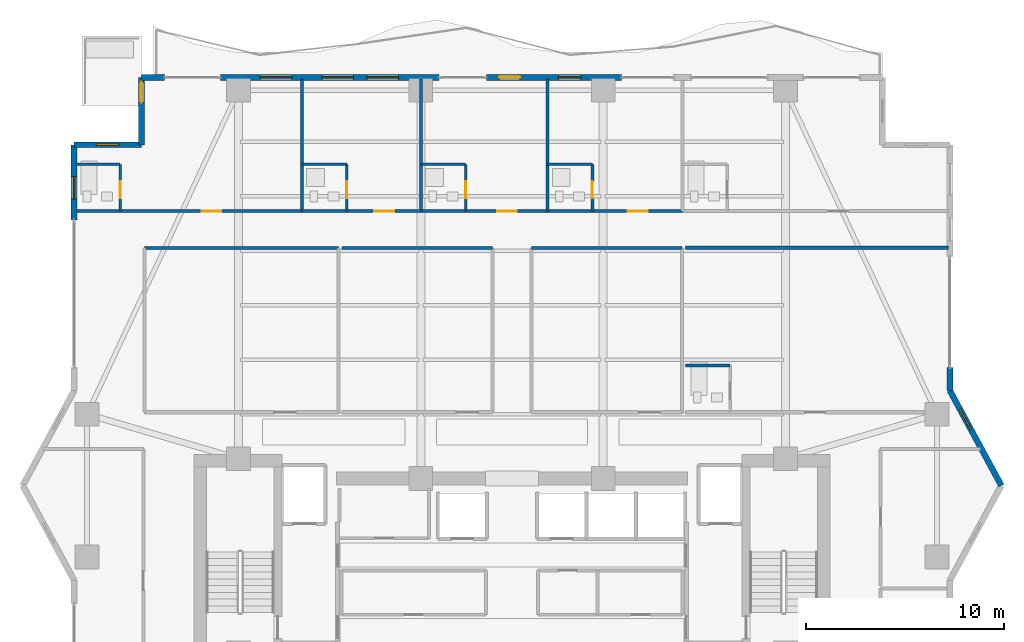
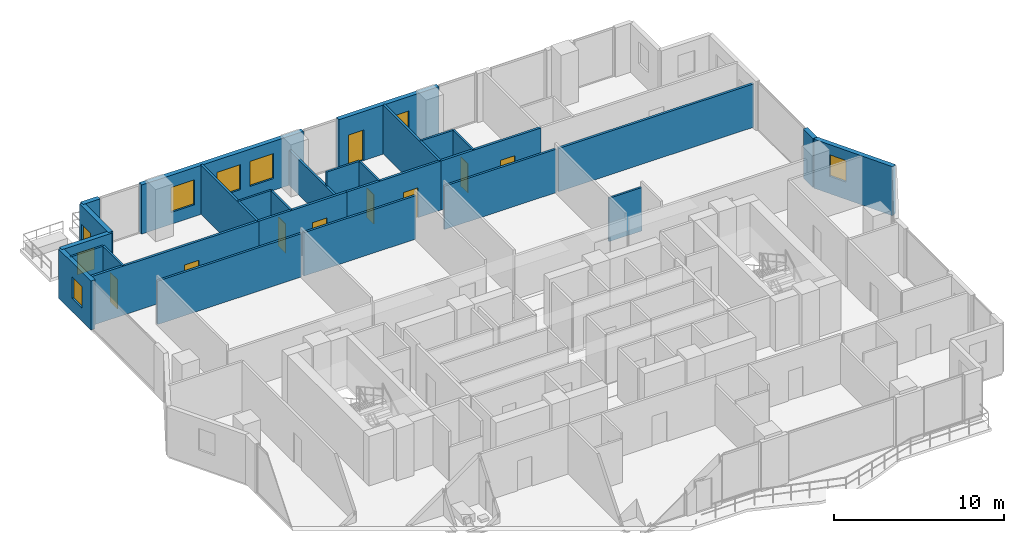
# One storey, part 27 of 32: 28 walls, 10 doors, 7 windows, 17 openings.
"""IFC4 building model written with IfcOpenShell, lengths in metres."""

from ifc_helpers import new_model, si_unit, direction, frame, frame_2d, origin, place, context, subcontext, project, spatial, rectangle, extrude, material, layer, layer_set, type_object, element, fill, save


model = new_model("IFC4")

# Units and contexts
model_context = context("Model", 3, precision=1e-05, world=origin(), true_north=direction((0.0, 1.0)))
body_context = subcontext(model_context, "Body", "Model", "MODEL_VIEW")
ifc_project = project(units=[si_unit("LENGTHUNIT", "METRE"), si_unit("AREAUNIT", "SQUARE_METRE"), si_unit("VOLUMEUNIT", "CUBIC_METRE"), si_unit("PLANEANGLEUNIT", "RADIAN"), si_unit("MASSUNIT", "GRAM", prefix="KILO")], contexts=[model_context])

# Site, building, storey
site_placement = place(None, origin())
site = spatial("IfcSite", under=ifc_project, at=site_placement, CompositionType="ELEMENT")
building_placement = place(site_placement, origin())
building = spatial("IfcBuilding", under=site, at=building_placement, Name="Zuhayl Quay Hotel", CompositionType="ELEMENT")
storey_placement = place(building_placement, frame((0.0, 0.0, 184.89990234375)))
storey = spatial("IfcBuildingStorey", under=building, at=storey_placement, Name="L46", CompositionType="ELEMENT", Elevation=184.89990234375)

# Wall, opening, window
ifc_material_1 = material(Name="Precast concrete C45/55", Category="concrete")
ifc_layer_1 = layer(ifc_material_1, 0.300048828125, Name="Precast concrete C45/55", Category="concrete")
ifc_layer_set_1 = layer_set([ifc_layer_1], Name="Precast concrete C45/55")
wall_type_1 = type_object("IfcWallType", Name="WL_EXT_300", PredefinedType="STANDARD", material=ifc_layer_set_1)
wall_1_placement = place(storey_placement, frame((-22.10009765625, 26.39990234375, 0.0), z_axis=(0.0, 0.0, 1.0), x_axis=(0.0, 1.0, 0.0)))
wall_1 = element("IfcWall", 1, at=wall_1_placement, inside=storey, type_object=wall_type_1, Name="L46 Exterior Precast Wall ENV_L46_E05_EW2", PredefinedType="STANDARD", context=body_context, shape_type="SweptSolid", body=[
    extrude(rectangle(XDim=3.800048828125, YDim=0.300048828125, at=frame_2d((1.89990234375, 0.0))), origin(), (0.0, 0.0, 1.0), 3.530029296875),
])
opening_1_placement = place(wall_1_placement, frame((1.054931640625, 0.0, 0.949951171875)))
opening_1 = element("IfcOpeningElement", 2, at=opening_1_placement, cuts=wall_1, Name="Opening W01N", PredefinedType="OPENING", context=body_context, shape_type="SweptSolid", body=[
    extrude(rectangle(XDim=1.14990234375, YDim=1.550048828125, at=frame_2d((0.574951171875, 0.77490234375))), frame((0.0, 0.159912109375, 0.0), z_axis=(0.0, -1.0, 0.0), x_axis=(1.0, 0.0, 0.0)), (0.0, 0.0, 1.0), 0.320068359375),
])
ifc_material_2 = material(Name="Dark Ceramic-Fritted Solar Glass", Category="glass")
window_type_1 = type_object("IfcWindowType", Name="WN_NOTCH_1350", PartitioningType="SINGLE_PANEL", PredefinedType="WINDOW", material=ifc_material_2)
window_1_placement = place(opening_1_placement, origin())
window_1 = element("IfcWindow", 3, at=window_1_placement, inside=storey, type_object=window_type_1, Name="L46 Operable Facade Window 2-1", OverallHeight=1.550048828125, OverallWidth=1.14990234375, PartitioningType="SINGLE_PANEL", PredefinedType="WINDOW", context=body_context, shape_type="SweptSolid", body=[
    extrude(rectangle(XDim=1.14990234375, YDim=1.550048828125, at=frame_2d((0.574951171875, 0.77490234375))), frame((0.0, 0.030029296875, 0.0), z_axis=(0.0, -1.0, 0.0), x_axis=(1.0, 0.0, 0.0)), (0.0, 0.0, 1.0), 0.06005859375),
])
fill(opening_1, window_1)

wall_2_placement = place(storey_placement, frame((-22.10009765625, 30.199951171875, 0.0), z_axis=(0.0, 0.0, 1.0), x_axis=(1.0, 0.0, 0.0)))
wall_2 = element("IfcWall", 4, at=wall_2_placement, inside=storey, type_object=wall_type_1, Name="L46 Exterior Precast Wall ENV_L46_EW06", PredefinedType="STANDARD", context=body_context, shape_type="SweptSolid", body=[
    extrude(rectangle(XDim=3.400146484375, YDim=0.300048828125, at=frame_2d((1.7001953125, 0.0))), origin(), (0.0, 0.0, 1.0), 3.530029296875),
])
opening_2_placement = place(wall_2_placement, frame((1.125, 0.0, 1.25)))
opening_2 = element("IfcOpeningElement", 5, at=opening_2_placement, cuts=wall_2, Name="Opening W01N", PredefinedType="OPENING", context=body_context, shape_type="SweptSolid", body=[
    extrude(rectangle(XDim=1.14990234375, YDim=1.550048828125, at=frame_2d((0.574951171875, 0.77490234375))), frame((0.0, 0.159912109375, 0.0), z_axis=(0.0, -1.0, 0.0), x_axis=(1.0, 0.0, 0.0)), (0.0, 0.0, 1.0), 0.320068359375),
])
window_2_placement = place(opening_2_placement, origin())
window_2 = element("IfcWindow", 6, at=window_2_placement, inside=storey, type_object=window_type_1, Name="L46 Corner Notch Window 6", OverallHeight=1.550048828125, OverallWidth=1.14990234375, PartitioningType="SINGLE_PANEL", PredefinedType="WINDOW", context=body_context, shape_type="SweptSolid", body=[
    extrude(rectangle(XDim=1.14990234375, YDim=1.550048828125, at=frame_2d((0.574951171875, 0.77490234375))), frame((0.0, 0.030029296875, 0.0), z_axis=(0.0, -1.0, 0.0), x_axis=(1.0, 0.0, 0.0)), (0.0, 0.0, 1.0), 0.06005859375),
])
fill(opening_2, window_2)

# Wall, opening, door
wall_3_placement = place(storey_placement, frame((-18.699951171875, 30.199951171875, 0.0), z_axis=(0.0, 0.0, 1.0), x_axis=(0.0, 1.0, 0.0)))
wall_3 = element("IfcWall", 7, at=wall_3_placement, inside=storey, type_object=wall_type_1, Name="L46 Exterior Precast Wall ENV_L46_SP_NW", PredefinedType="STANDARD", context=body_context, shape_type="SweptSolid", body=[
    extrude(rectangle(XDim=3.400146484375, YDim=0.300048828125, at=frame_2d((1.7001953125, 0.0))), origin(), (0.0, 0.0, 1.0), 3.530029296875),
])
opening_3_placement = place(wall_3_placement, frame((2.1298828125, 0.0, 0.0)))
opening_3 = element("IfcOpeningElement", 8, at=opening_3_placement, cuts=wall_3, Name="Opening DG1", PredefinedType="OPENING", context=body_context, shape_type="SweptSolid", body=[
    extrude(rectangle(XDim=1.050048828125, YDim=2.199951171875, at=frame_2d((0.52490234375, 1.10009765625))), frame((0.0, 0.159912109375, 0.0), z_axis=(0.0, -1.0, 0.0), x_axis=(1.0, 0.0, 0.0)), (0.0, 0.0, 1.0), 0.320068359375),
])
ifc_material_3 = material(Name="Anodised Aluminium and Dark Solar Glass", Category="aluminium")
door_type_1 = type_object("IfcDoorType", Name="DR_EXT_TERR_1050", OperationType="NOTDEFINED", PredefinedType="DOOR", material=ifc_material_3)
door_1_placement = place(opening_3_placement, origin())
door_1 = element("IfcDoor", 9, at=door_1_placement, inside=storey, type_object=door_type_1, Name="L46 Spiral Sky-Terrace NW Access Door", OperationType="SINGLE_SWING_LEFT", OverallHeight=2.199951171875, OverallWidth=1.050048828125, PredefinedType="DOOR", context=body_context, shape_type="SweptSolid", body=[
    extrude(rectangle(XDim=1.050048828125, YDim=2.199951171875, at=frame_2d((0.52490234375, 1.10009765625))), frame((0.0, 0.02490234375, 0.0), z_axis=(0.0, -1.0, 0.0), x_axis=(1.0, 0.0, 0.0)), (0.0, 0.0, 1.0), 0.050048828125),
])
fill(opening_3, door_1)

# Wall
wall_4_placement = place(storey_placement, frame((-18.699951171875, 33.60009765625, 0.0), z_axis=(0.0, 0.0, 1.0), x_axis=(1.0, 0.0, 0.0)))
element("IfcWall", 10, at=wall_4_placement, inside=storey, type_object=wall_type_1, Name="L46 Exterior Precast Wall ENV_L46_N_EW1", PredefinedType="STANDARD", context=body_context, shape_type="SweptSolid", body=[
    extrude(rectangle(XDim=1.14990234375, YDim=0.300048828125, at=frame_2d((0.574951171875, 0.0))), origin(), (0.0, 0.0, 1.0), 3.530029296875),
])

# Wall, openings, windows
wall_5_placement = place(storey_placement, frame((-14.719970703125, 33.60009765625, 0.0), z_axis=(0.0, 0.0, 1.0), x_axis=(1.0, 0.0, 0.0)))
wall_5 = element("IfcWall", 11, at=wall_5_placement, inside=storey, type_object=wall_type_1, Name="L46 Exterior Precast Wall ENV_L46_N_EW2", PredefinedType="STANDARD", context=body_context, shape_type="SweptSolid", body=[
    extrude(rectangle(XDim=11.0400390625, YDim=0.300048828125, at=frame_2d((5.52001953125, 0.0))), origin(), (0.0, 0.0, 1.0), 3.530029296875),
])
opening_4_placement = place(wall_5_placement, frame((5.1201171875, 0.0, 0.85009765625)))
opening_4 = element("IfcOpeningElement", 12, at=opening_4_placement, cuts=wall_5, Name="Opening W01", PredefinedType="OPENING", context=body_context, shape_type="SweptSolid", body=[
    extrude(rectangle(XDim=1.60009765625, YDim=1.800048828125, at=frame_2d((0.800048828125, 0.89990234375))), frame((0.0, 0.159912109375, 0.0), z_axis=(0.0, -1.0, 0.0), x_axis=(1.0, 0.0, 0.0)), (0.0, 0.0, 1.0), 0.320068359375),
])
opening_5_placement = place(wall_5_placement, frame((2.010009765625, 0.0, 0.85009765625)))
opening_5 = element("IfcOpeningElement", 13, at=opening_5_placement, cuts=wall_5, Name="Opening W01", PredefinedType="OPENING", context=body_context, shape_type="SweptSolid", body=[
    extrude(rectangle(XDim=1.60009765625, YDim=1.800048828125, at=frame_2d((0.800048828125, 0.89990234375))), frame((0.0, 0.159912109375, 0.0), z_axis=(0.0, -1.0, 0.0), x_axis=(1.0, 0.0, 0.0)), (0.0, 0.0, 1.0), 0.320068359375),
])
opening_6_placement = place(wall_5_placement, frame((7.39501953125, 0.0, 0.85009765625)))
opening_6 = element("IfcOpeningElement", 14, at=opening_6_placement, cuts=wall_5, Name="Opening W01", PredefinedType="OPENING", context=body_context, shape_type="SweptSolid", body=[
    extrude(rectangle(XDim=1.60009765625, YDim=1.800048828125, at=frame_2d((0.800048828125, 0.89990234375))), frame((0.0, 0.159912109375, 0.0), z_axis=(0.0, -1.0, 0.0), x_axis=(1.0, 0.0, 0.0)), (0.0, 0.0, 1.0), 0.320068359375),
])
window_type_2 = type_object("IfcWindowType", Name="WN_OPERABLE_1600", PartitioningType="DOUBLE_PANEL_VERTICAL", PredefinedType="WINDOW", material=ifc_material_2)
window_3_placement = place(opening_4_placement, origin())
window_3 = element("IfcWindow", 15, at=window_3_placement, inside=storey, type_object=window_type_2, Name="L46 North Operable Casement Window", OverallHeight=1.800048828125, OverallWidth=1.60009765625, PartitioningType="SINGLE_PANEL", PredefinedType="WINDOW", context=body_context, shape_type="SweptSolid", body=[
    extrude(rectangle(XDim=1.60009765625, YDim=1.800048828125, at=frame_2d((0.800048828125, 0.89990234375))), frame((0.0, 0.030029296875, 0.0), z_axis=(0.0, -1.0, 0.0), x_axis=(1.0, 0.0, 0.0)), (0.0, 0.0, 1.0), 0.06005859375),
])
fill(opening_4, window_3)
window_4_placement = place(opening_5_placement, origin())
window_4 = element("IfcWindow", 16, at=window_4_placement, inside=storey, type_object=window_type_2, Name="L46 Operable Facade Window 2-1", OverallHeight=1.800048828125, OverallWidth=1.60009765625, PartitioningType="SINGLE_PANEL", PredefinedType="WINDOW", context=body_context, shape_type="SweptSolid", body=[
    extrude(rectangle(XDim=1.60009765625, YDim=1.800048828125, at=frame_2d((0.800048828125, 0.89990234375))), frame((0.0, 0.030029296875, 0.0), z_axis=(0.0, -1.0, 0.0), x_axis=(1.0, 0.0, 0.0)), (0.0, 0.0, 1.0), 0.06005859375),
])
fill(opening_5, window_4)
window_5_placement = place(opening_6_placement, origin())
window_5 = element("IfcWindow", 17, at=window_5_placement, inside=storey, type_object=window_type_2, Name="L46 Operable Facade Window 2-2", OverallHeight=1.800048828125, OverallWidth=1.60009765625, PartitioningType="SINGLE_PANEL", PredefinedType="WINDOW", context=body_context, shape_type="SweptSolid", body=[
    extrude(rectangle(XDim=1.60009765625, YDim=1.800048828125, at=frame_2d((0.800048828125, 0.89990234375))), frame((0.0, 0.030029296875, 0.0), z_axis=(0.0, -1.0, 0.0), x_axis=(1.0, 0.0, 0.0)), (0.0, 0.0, 1.0), 0.06005859375),
])
fill(opening_6, window_5)

# Wall, openings, door, window
wall_6_placement = place(storey_placement, frame((-1.294921875, 33.60009765625, 0.0), z_axis=(0.0, 0.0, 1.0), x_axis=(1.0, 0.0, 0.0)))
wall_6 = element("IfcWall", 18, at=wall_6_placement, inside=storey, type_object=wall_type_1, Name="L46 Exterior Precast Wall ENV_L46_N_EW3", PredefinedType="STANDARD", context=body_context, shape_type="SweptSolid", body=[
    extrude(rectangle(XDim=6.81494140625, YDim=0.300048828125, at=frame_2d((3.407470703125, 0.0))), origin(), (0.0, 0.0, 1.0), 3.530029296875),
])
opening_7_placement = place(wall_6_placement, frame((0.64990234375, 0.0, 0.0)))
opening_7 = element("IfcOpeningElement", 19, at=opening_7_placement, cuts=wall_6, Name="Opening DG1", PredefinedType="OPENING", context=body_context, shape_type="SweptSolid", body=[
    extrude(rectangle(XDim=1.050048828125, YDim=2.199951171875, at=frame_2d((0.52490234375, 1.10009765625))), frame((0.0, 0.159912109375, 0.0), z_axis=(0.0, -1.0, 0.0), x_axis=(1.0, 0.0, 0.0)), (0.0, 0.0, 1.0), 0.320068359375),
])
opening_8_placement = place(wall_6_placement, frame((3.6298828125, 0.0, 0.949951171875)))
opening_8 = element("IfcOpeningElement", 20, at=opening_8_placement, cuts=wall_6, Name="Opening W01N", PredefinedType="OPENING", context=body_context, shape_type="SweptSolid", body=[
    extrude(rectangle(XDim=1.14990234375, YDim=1.550048828125, at=frame_2d((0.574951171875, 0.77490234375))), frame((0.0, 0.159912109375, 0.0), z_axis=(0.0, -1.0, 0.0), x_axis=(1.0, 0.0, 0.0)), (0.0, 0.0, 1.0), 0.320068359375),
])
door_2_placement = place(opening_7_placement, origin())
door_2 = element("IfcDoor", 21, at=door_2_placement, inside=storey, type_object=door_type_1, Name="L46 North Rippling Balcony Door", OperationType="SINGLE_SWING_LEFT", OverallHeight=2.199951171875, OverallWidth=1.050048828125, PredefinedType="DOOR", context=body_context, shape_type="SweptSolid", body=[
    extrude(rectangle(XDim=1.050048828125, YDim=2.199951171875, at=frame_2d((0.52490234375, 1.10009765625))), frame((0.0, 0.02490234375, 0.0), z_axis=(0.0, -1.0, 0.0), x_axis=(1.0, 0.0, 0.0)), (0.0, 0.0, 1.0), 0.050048828125),
])
fill(opening_7, door_2)
window_6_placement = place(opening_8_placement, origin())
window_6 = element("IfcWindow", 22, at=window_6_placement, inside=storey, type_object=window_type_1, Name="L46 Operable Facade Window 3-1", OverallHeight=1.550048828125, OverallWidth=1.14990234375, PartitioningType="SINGLE_PANEL", PredefinedType="WINDOW", context=body_context, shape_type="SweptSolid", body=[
    extrude(rectangle(XDim=1.14990234375, YDim=1.550048828125, at=frame_2d((0.574951171875, 0.77490234375))), frame((0.0, 0.030029296875, 0.0), z_axis=(0.0, -1.0, 0.0), x_axis=(1.0, 0.0, 0.0)), (0.0, 0.0, 1.0), 0.06005859375),
])
fill(opening_8, window_6)

# Wall
wall_7_placement = place(storey_placement, frame((22.10009765625, 18.949951171875, 0.0), z_axis=(0.0, 0.0, 1.0), x_axis=(0.0, -1.0, 0.0)))
element("IfcWall", 23, at=wall_7_placement, inside=storey, type_object=wall_type_1, Name="L46 Exterior Precast Wall ENV_L46_E11_EW2", PredefinedType="STANDARD", context=body_context, shape_type="SweptSolid", body=[
    extrude(rectangle(XDim=1.14990234375, YDim=0.300048828125, at=frame_2d((0.574951171875, 0.0))), origin(), (0.0, 0.0, 1.0), 3.530029296875),
])

# Wall, opening, window
wall_8_placement = place(storey_placement, frame((22.10009765625, 17.800048828125, 0.0), z_axis=(0.0, 0.0, 1.0), x_axis=(0.476258655584, -0.879305233114, 0.0)))
wall_8 = element("IfcWall", 24, at=wall_8_placement, inside=storey, type_object=wall_type_1, Name="L46 Exterior Precast Wall ENV_L46_EW12", PredefinedType="STANDARD", context=body_context, shape_type="SweptSolid", body=[
    extrude(rectangle(XDim=5.458984375, YDim=0.300048828125, at=frame_2d((2.7294921875, 0.0))), origin(), (0.0, 0.0, 1.0), 3.530029296875),
])
opening_9_placement = place(wall_8_placement, frame((1.078125, 0.0, 1.25)))
opening_9 = element("IfcOpeningElement", 25, at=opening_9_placement, cuts=wall_8, Name="Opening W01N", PredefinedType="OPENING", context=body_context, shape_type="SweptSolid", body=[
    extrude(rectangle(XDim=1.14990234375, YDim=1.550048828125, at=frame_2d((0.574951171875, 0.77490234375))), frame((0.0, 0.159912109375, 0.0), z_axis=(0.0, -1.0, 0.0), x_axis=(1.0, 0.0, 0.0)), (0.0, 0.0, 1.0), 0.320068359375),
])
window_7_placement = place(opening_9_placement, origin())
window_7 = element("IfcWindow", 26, at=window_7_placement, inside=storey, type_object=window_type_1, Name="L46 Corner Notch Window 12", OverallHeight=1.550048828125, OverallWidth=1.14990234375, PartitioningType="SINGLE_PANEL", PredefinedType="WINDOW", context=body_context, shape_type="SweptSolid", body=[
    extrude(rectangle(XDim=1.14990234375, YDim=1.550048828125, at=frame_2d((0.574951171875, 0.77490234375))), frame((0.0, 0.030029296875, 0.0), z_axis=(0.0, -1.0, 0.0), x_axis=(1.0, 0.0, 0.0)), (0.0, 0.0, 1.0), 0.06005859375),
])
fill(opening_9, window_7)

# Walls
ifc_material_4 = material(Name="Acoustic Gypsum Partition STC-58")
ifc_layer_2 = layer(ifc_material_4, 0.14990234375, Name="Acoustic Gypsum Partition STC-58")
ifc_layer_set_2 = layer_set([ifc_layer_2], Name="Acoustic Gypsum Partition STC-58")
wall_type_2 = type_object("IfcWallType", Name="WL_PART_150", PredefinedType="PARTITIONING", material=ifc_layer_set_2)
wall_9_placement = place(storey_placement, frame((-10.60009765625, 26.85009765625, 0.0), z_axis=(0.0, 0.0, 1.0), x_axis=(0.0, 1.0, 0.0)))
element("IfcWall", 27, at=wall_9_placement, inside=storey, type_object=wall_type_2, Name="L46 Partition IW_L46_NU01_E", PredefinedType="PARTITIONING", context=body_context, shape_type="SweptSolid", body=[
    extrude(rectangle(XDim=6.669921875, YDim=0.14990234375, at=frame_2d((3.3349609375, 0.0))), origin(), (0.0, 0.0, 1.0), 3.530029296875),
])
wall_10_placement = place(storey_placement, frame((-4.60009765625, 26.85009765625, 0.0), z_axis=(0.0, 0.0, 1.0), x_axis=(0.0, 1.0, 0.0)))
element("IfcWall", 28, at=wall_10_placement, inside=storey, type_object=wall_type_2, Name="L46 Partition IW_L46_NU02_E", PredefinedType="PARTITIONING", context=body_context, shape_type="SweptSolid", body=[
    extrude(rectangle(XDim=6.669921875, YDim=0.14990234375, at=frame_2d((3.3349609375, 0.0))), origin(), (0.0, 0.0, 1.0), 2.51904296875),
])
wall_11_placement = place(storey_placement, frame((1.800048828125, 26.85009765625, 0.0), z_axis=(0.0, 0.0, 1.0), x_axis=(0.0, 1.0, 0.0)))
element("IfcWall", 29, at=wall_11_placement, inside=storey, type_object=wall_type_2, Name="L46 Partition IW_L46_NU03_E", PredefinedType="PARTITIONING", context=body_context, shape_type="SweptSolid", body=[
    extrude(rectangle(XDim=6.669921875, YDim=0.14990234375, at=frame_2d((3.3349609375, 0.0))), origin(), (0.0, 0.0, 1.0), 3.530029296875),
])
wall_12_placement = place(storey_placement, frame((-18.550048828125, 25.0, 0.0), z_axis=(0.0, 0.0, 1.0), x_axis=(1.0, 0.0, 0.0)))
element("IfcWall", 30, at=wall_12_placement, inside=storey, type_object=wall_type_2, Name="L46 Partition IW_L46_Z3_SAL_W1_N", PredefinedType="PARTITIONING", context=body_context, shape_type="SweptSolid", body=[
    extrude(rectangle(XDim=9.800048828125, YDim=0.14990234375, at=frame_2d((4.89990234375, 0.0))), origin(), (0.0, 0.0, 1.0), 3.1240234375),
])
for number, where, z_axis, x_axis, name in (
    (31, (-8.590087890625, 25.0, 0.0), (0.0, 0.0, 1.0), (1.0, 0.0, 0.0), "L46 Partition IW_L46_Z3_SAL_W2_N"),
    (32, (0.97998046875, 25.0, 0.0), (0.0, 0.0, 1.0), (1.0, 0.0, 0.0), "L46 Partition IW_L46_Z3_SAL_E1_N"),
):
    element("IfcWall", number, at=place(storey_placement, frame(where, z_axis=z_axis, x_axis=x_axis)), inside=storey, type_object=wall_type_2, Name=name, PredefinedType="PARTITIONING", context=body_context, shape_type="SweptSolid", body=[
        extrude(rectangle(XDim=7.610107421875, YDim=0.14990234375, at=frame_2d((3.80517578125, 0.0))), origin(), (0.0, 0.0, 1.0), 3.1240234375),
    ])

# Wall, opening, door
ifc_layer_3 = layer(ifc_material_4, 0.159912109375, Name="Acoustic Gypsum Partition STC-58")
ifc_layer_set_3 = layer_set([ifc_layer_3], Name="Acoustic Gypsum Partition STC-58")
wall_type_3 = type_object("IfcWallType", Name="WL_PART_CORR_160", PredefinedType="PARTITIONING", material=ifc_layer_set_3)
wall_13_placement = place(storey_placement, frame((-22.0400390625, 26.85009765625, 0.0), z_axis=(0.0, 0.0, 1.0), x_axis=(1.0, 0.0, 0.0)))
wall_13 = element("IfcWall", 33, at=wall_13_placement, inside=storey, type_object=wall_type_3, Name="L46 Partition IW_L46_NU01_COR", PredefinedType="PARTITIONING", context=body_context, shape_type="SweptSolid", body=[
    extrude(rectangle(XDim=11.43994140625, YDim=0.159912109375, at=frame_2d((5.719970703125, 0.0))), origin(), (0.0, 0.0, 1.0), 3.530029296875),
])
opening_10_placement = place(wall_13_placement, frame((6.3701171875, 0.0, 0.0)))
opening_10 = element("IfcOpeningElement", 34, at=opening_10_placement, cuts=wall_13, Name="Opening D03L", PredefinedType="OPENING", context=body_context, shape_type="SweptSolid", body=[
    extrude(rectangle(XDim=1.0, YDim=2.14990234375, at=frame_2d((0.5, 1.074951171875))), frame((0.0, 0.08984375, 0.0), z_axis=(0.0, -1.0, 0.0), x_axis=(1.0, 0.0, 0.0)), (0.0, 0.0, 1.0), 0.179931640625),
])
ifc_material_5 = material(Name="Solid Walnut Acoustic Fire Door")
door_type_2 = type_object("IfcDoorType", Name="DR_SUITE_1000", OperationType="NOTDEFINED", PredefinedType="DOOR", material=ifc_material_5)
door_3_placement = place(opening_10_placement, origin())
door_3 = element("IfcDoor", 35, at=door_3_placement, inside=storey, type_object=door_type_2, Name="L46 Panoramic Gulf Suite L46-01 Entrance Door", OperationType="SINGLE_SWING_LEFT", OverallHeight=2.14990234375, OverallWidth=1.0, PredefinedType="DOOR", context=body_context, shape_type="SweptSolid", body=[
    extrude(rectangle(XDim=1.0, YDim=2.14990234375, at=frame_2d((0.5, 1.074951171875))), frame((0.0, 0.02490234375, 0.0), z_axis=(0.0, -1.0, 0.0), x_axis=(1.0, 0.0, 0.0)), (0.0, 0.0, 1.0), 0.050048828125),
])
fill(opening_10, door_3)

wall_14_placement = place(storey_placement, frame((-10.60009765625, 26.85009765625, 0.0), z_axis=(0.0, 0.0, 1.0), x_axis=(1.0, 0.0, 0.0)))
wall_14 = element("IfcWall", 36, at=wall_14_placement, inside=storey, type_object=wall_type_3, Name="L46 Partition IW_L46_NU02_COR", PredefinedType="PARTITIONING", context=body_context, shape_type="SweptSolid", body=[
    extrude(rectangle(XDim=6.0, YDim=0.159912109375, at=frame_2d((3.0, 0.0))), origin(), (0.0, 0.0, 1.0), 3.530029296875),
])
opening_11_placement = place(wall_14_placement, frame((3.64990234375, 0.0, 0.0)))
opening_11 = element("IfcOpeningElement", 37, at=opening_11_placement, cuts=wall_14, Name="Opening D03L", PredefinedType="OPENING", context=body_context, shape_type="SweptSolid", body=[
    extrude(rectangle(XDim=1.0, YDim=2.14990234375, at=frame_2d((0.5, 1.074951171875))), frame((0.0, 0.08984375, 0.0), z_axis=(0.0, -1.0, 0.0), x_axis=(1.0, 0.0, 0.0)), (0.0, 0.0, 1.0), 0.179931640625),
])
door_4_placement = place(opening_11_placement, origin())
door_4 = element("IfcDoor", 38, at=door_4_placement, inside=storey, type_object=door_type_2, Name="L46 Panoramic Gulf Suite L46-02 Entrance Door", OperationType="SINGLE_SWING_LEFT", OverallHeight=2.14990234375, OverallWidth=1.0, PredefinedType="DOOR", context=body_context, shape_type="SweptSolid", body=[
    extrude(rectangle(XDim=1.0, YDim=2.14990234375, at=frame_2d((0.5, 1.074951171875))), frame((0.0, 0.02490234375, 0.0), z_axis=(0.0, -1.0, 0.0), x_axis=(1.0, 0.0, 0.0)), (0.0, 0.0, 1.0), 0.050048828125),
])
fill(opening_11, door_4)

wall_15_placement = place(storey_placement, frame((-4.60009765625, 26.85009765625, 0.0), z_axis=(0.0, 0.0, 1.0), x_axis=(1.0, 0.0, 0.0)))
wall_15 = element("IfcWall", 39, at=wall_15_placement, inside=storey, type_object=wall_type_3, Name="L46 Partition IW_L46_NU03_COR", PredefinedType="PARTITIONING", context=body_context, shape_type="SweptSolid", body=[
    extrude(rectangle(XDim=6.400146484375, YDim=0.159912109375, at=frame_2d((3.2001953125, 0.0))), origin(), (0.0, 0.0, 1.0), 3.530029296875),
])
opening_12_placement = place(wall_15_placement, frame((3.85009765625, 0.0, 0.0)))
opening_12 = element("IfcOpeningElement", 40, at=opening_12_placement, cuts=wall_15, Name="Opening D03L", PredefinedType="OPENING", context=body_context, shape_type="SweptSolid", body=[
    extrude(rectangle(XDim=1.0, YDim=2.14990234375, at=frame_2d((0.5, 1.074951171875))), frame((0.0, 0.08984375, 0.0), z_axis=(0.0, -1.0, 0.0), x_axis=(1.0, 0.0, 0.0)), (0.0, 0.0, 1.0), 0.179931640625),
])
door_5_placement = place(opening_12_placement, origin())
door_5 = element("IfcDoor", 41, at=door_5_placement, inside=storey, type_object=door_type_2, Name="L46 Panoramic Gulf Suite L46-03 Entrance Door", OperationType="SINGLE_SWING_LEFT", OverallHeight=2.14990234375, OverallWidth=1.0, PredefinedType="DOOR", context=body_context, shape_type="SweptSolid", body=[
    extrude(rectangle(XDim=1.0, YDim=2.14990234375, at=frame_2d((0.5, 1.074951171875))), frame((0.0, 0.02490234375, 0.0), z_axis=(0.0, -1.0, 0.0), x_axis=(1.0, 0.0, 0.0)), (0.0, 0.0, 1.0), 0.050048828125),
])
fill(opening_12, door_5)

wall_16_placement = place(storey_placement, frame((1.800048828125, 26.85009765625, 0.0), z_axis=(0.0, 0.0, 1.0), x_axis=(1.0, 0.0, 0.0)))
wall_16 = element("IfcWall", 42, at=wall_16_placement, inside=storey, type_object=wall_type_3, Name="L46 Partition IW_L46_NU04_COR", PredefinedType="PARTITIONING", context=body_context, shape_type="SweptSolid", body=[
    extrude(rectangle(XDim=6.800048828125, YDim=0.159912109375, at=frame_2d((3.39990234375, 0.0))), origin(), (0.0, 0.0, 1.0), 3.530029296875),
])
opening_13_placement = place(wall_16_placement, frame((4.050048828125, 0.0, 0.0)))
opening_13 = element("IfcOpeningElement", 43, at=opening_13_placement, cuts=wall_16, Name="Opening D03L", PredefinedType="OPENING", context=body_context, shape_type="SweptSolid", body=[
    extrude(rectangle(XDim=1.0, YDim=2.14990234375, at=frame_2d((0.5, 1.074951171875))), frame((0.0, 0.08984375, 0.0), z_axis=(0.0, -1.0, 0.0), x_axis=(1.0, 0.0, 0.0)), (0.0, 0.0, 1.0), 0.179931640625),
])
door_6_placement = place(opening_13_placement, origin())
door_6 = element("IfcDoor", 44, at=door_6_placement, inside=storey, type_object=door_type_2, Name="L46 Panoramic Gulf Suite L46-04 Entrance Door", OperationType="SINGLE_SWING_LEFT", OverallHeight=2.14990234375, OverallWidth=1.0, PredefinedType="DOOR", context=body_context, shape_type="SweptSolid", body=[
    extrude(rectangle(XDim=1.0, YDim=2.14990234375, at=frame_2d((0.5, 1.074951171875))), frame((0.0, 0.02490234375, 0.0), z_axis=(0.0, -1.0, 0.0), x_axis=(1.0, 0.0, 0.0)), (0.0, 0.0, 1.0), 0.050048828125),
])
fill(opening_13, door_6)

# Wall
wall_17_placement = place(storey_placement, frame((8.75, 25.0, 0.0), z_axis=(0.0, 0.0, 1.0), x_axis=(1.0, 0.0, 0.0)))
element("IfcWall", 45, at=wall_17_placement, inside=storey, type_object=wall_type_3, Name="L46 Partition IW_L46_MU01_BK", PredefinedType="PARTITIONING", context=body_context, shape_type="SweptSolid", body=[
    extrude(rectangle(XDim=13.2900390625, YDim=0.159912109375, at=frame_2d((6.64501953125, 0.0))), origin(), (0.0, 0.0, 1.0), 3.1240234375),
])

# Wall, opening, door
ifc_material_6 = material(Name="Moisture-Resistant Sanitarychase Gypsum")
ifc_layer_4 = layer(ifc_material_6, 0.135009765625, Name="Moisture-Resistant Sanitarychase Gypsum")
ifc_layer_set_4 = layer_set([ifc_layer_4], Name="Moisture-Resistant Sanitarychase Gypsum")
wall_type_4 = type_object("IfcWallType", Name="WL_PART_PLUMB_150", PredefinedType="PLUMBINGWALL", material=ifc_layer_set_4)
wall_18_placement = place(storey_placement, frame((-19.780029296875, 26.85009765625, 0.0), z_axis=(0.0, 0.0, 1.0), x_axis=(0.0, 1.0, 0.0)))
wall_18 = element("IfcWall", 46, at=wall_18_placement, inside=storey, type_object=wall_type_4, Name="L46 Partition IW_L46_NU01_BE", PredefinedType="PLUMBINGWALL", context=body_context, shape_type="SweptSolid", body=[
    extrude(rectangle(XDim=2.35986328125, YDim=0.135009765625, at=frame_2d((1.179931640625, 0.0))), origin(), (0.0, 0.0, 1.0), 3.530029296875),
])
opening_14_placement = place(wall_18_placement, frame((0.64990234375, 0.0, 0.0)))
opening_14 = element("IfcOpeningElement", 47, at=opening_14_placement, cuts=wall_18, Name="Opening D04", PredefinedType="OPENING", context=body_context, shape_type="SweptSolid", body=[
    extrude(rectangle(XDim=0.85009765625, YDim=2.10009765625, at=frame_2d((0.425048828125, 1.050048828125))), frame((0.0, 0.077392578125, 0.0), z_axis=(0.0, -1.0, 0.0), x_axis=(1.0, 0.0, 0.0)), (0.0, 0.0, 1.0), 0.155029296875),
])
ifc_material_7 = material(Name="Moisture-Resistant Walnut Veneer")
door_type_3 = type_object("IfcDoorType", Name="DR_BATH_850", OperationType="NOTDEFINED", PredefinedType="DOOR", material=ifc_material_7)
door_7_placement = place(opening_14_placement, origin())
door_7 = element("IfcDoor", 48, at=door_7_placement, inside=storey, type_object=door_type_3, Name="L46 Panoramic Gulf Suite L46-01 En-Suite Door", OperationType="SINGLE_SWING_RIGHT", OverallHeight=2.10009765625, OverallWidth=0.85009765625, PredefinedType="DOOR", context=body_context, shape_type="SweptSolid", body=[
    extrude(rectangle(XDim=0.85009765625, YDim=2.10009765625, at=frame_2d((0.425048828125, 1.050048828125))), frame((0.0, 0.02490234375, 0.0), z_axis=(0.0, -1.0, 0.0), x_axis=(1.0, 0.0, 0.0)), (0.0, 0.0, 1.0), 0.050048828125),
])
fill(opening_14, door_7)

wall_19_placement = place(storey_placement, frame((-8.340087890625, 26.85009765625, 0.0), z_axis=(0.0, 0.0, 1.0), x_axis=(0.0, 1.0, 0.0)))
wall_19 = element("IfcWall", 49, at=wall_19_placement, inside=storey, type_object=wall_type_4, Name="L46 Partition IW_L46_NU02_BE", PredefinedType="PLUMBINGWALL", context=body_context, shape_type="SweptSolid", body=[
    extrude(rectangle(XDim=2.35986328125, YDim=0.135009765625, at=frame_2d((1.179931640625, 0.0))), origin(), (0.0, 0.0, 1.0), 3.530029296875),
])
opening_15_placement = place(wall_19_placement, frame((0.64990234375, 0.0, 0.0)))
opening_15 = element("IfcOpeningElement", 50, at=opening_15_placement, cuts=wall_19, Name="Opening D04", PredefinedType="OPENING", context=body_context, shape_type="SweptSolid", body=[
    extrude(rectangle(XDim=0.85009765625, YDim=2.10009765625, at=frame_2d((0.425048828125, 1.050048828125))), frame((0.0, 0.077392578125, 0.0), z_axis=(0.0, -1.0, 0.0), x_axis=(1.0, 0.0, 0.0)), (0.0, 0.0, 1.0), 0.155029296875),
])
door_8_placement = place(opening_15_placement, origin())
door_8 = element("IfcDoor", 51, at=door_8_placement, inside=storey, type_object=door_type_3, Name="L46 Panoramic Gulf Suite L46-02 En-Suite Door", OperationType="SINGLE_SWING_RIGHT", OverallHeight=2.10009765625, OverallWidth=0.85009765625, PredefinedType="DOOR", context=body_context, shape_type="SweptSolid", body=[
    extrude(rectangle(XDim=0.85009765625, YDim=2.10009765625, at=frame_2d((0.425048828125, 1.050048828125))), frame((0.0, 0.02490234375, 0.0), z_axis=(0.0, -1.0, 0.0), x_axis=(1.0, 0.0, 0.0)), (0.0, 0.0, 1.0), 0.050048828125),
])
fill(opening_15, door_8)

wall_20_placement = place(storey_placement, frame((-2.340087890625, 26.85009765625, 0.0), z_axis=(0.0, 0.0, 1.0), x_axis=(0.0, 1.0, 0.0)))
wall_20 = element("IfcWall", 52, at=wall_20_placement, inside=storey, type_object=wall_type_4, Name="L46 Partition IW_L46_NU03_BE", PredefinedType="PLUMBINGWALL", context=body_context, shape_type="SweptSolid", body=[
    extrude(rectangle(XDim=2.35986328125, YDim=0.135009765625, at=frame_2d((1.179931640625, 0.0))), origin(), (0.0, 0.0, 1.0), 3.530029296875),
])
opening_16_placement = place(wall_20_placement, frame((0.64990234375, 0.0, 0.0)))
opening_16 = element("IfcOpeningElement", 53, at=opening_16_placement, cuts=wall_20, Name="Opening D04", PredefinedType="OPENING", context=body_context, shape_type="SweptSolid", body=[
    extrude(rectangle(XDim=0.85009765625, YDim=2.10009765625, at=frame_2d((0.425048828125, 1.050048828125))), frame((0.0, 0.077392578125, 0.0), z_axis=(0.0, -1.0, 0.0), x_axis=(1.0, 0.0, 0.0)), (0.0, 0.0, 1.0), 0.155029296875),
])
door_9_placement = place(opening_16_placement, origin())
door_9 = element("IfcDoor", 54, at=door_9_placement, inside=storey, type_object=door_type_3, Name="L46 Panoramic Gulf Suite L46-03 En-Suite Door", OperationType="SINGLE_SWING_RIGHT", OverallHeight=2.10009765625, OverallWidth=0.85009765625, PredefinedType="DOOR", context=body_context, shape_type="SweptSolid", body=[
    extrude(rectangle(XDim=0.85009765625, YDim=2.10009765625, at=frame_2d((0.425048828125, 1.050048828125))), frame((0.0, 0.02490234375, 0.0), z_axis=(0.0, -1.0, 0.0), x_axis=(1.0, 0.0, 0.0)), (0.0, 0.0, 1.0), 0.050048828125),
])
fill(opening_16, door_9)

wall_21_placement = place(storey_placement, frame((4.06005859375, 26.85009765625, 0.0), z_axis=(0.0, 0.0, 1.0), x_axis=(0.0, 1.0, 0.0)))
wall_21 = element("IfcWall", 55, at=wall_21_placement, inside=storey, type_object=wall_type_4, Name="L46 Partition IW_L46_NU04_BE", PredefinedType="PLUMBINGWALL", context=body_context, shape_type="SweptSolid", body=[
    extrude(rectangle(XDim=2.35986328125, YDim=0.135009765625, at=frame_2d((1.179931640625, 0.0))), origin(), (0.0, 0.0, 1.0), 3.530029296875),
])
opening_17_placement = place(wall_21_placement, frame((0.64990234375, 0.0, 0.0)))
opening_17 = element("IfcOpeningElement", 56, at=opening_17_placement, cuts=wall_21, Name="Opening D04", PredefinedType="OPENING", context=body_context, shape_type="SweptSolid", body=[
    extrude(rectangle(XDim=0.85009765625, YDim=2.10009765625, at=frame_2d((0.425048828125, 1.050048828125))), frame((0.0, 0.077392578125, 0.0), z_axis=(0.0, -1.0, 0.0), x_axis=(1.0, 0.0, 0.0)), (0.0, 0.0, 1.0), 0.155029296875),
])
door_10_placement = place(opening_17_placement, origin())
door_10 = element("IfcDoor", 57, at=door_10_placement, inside=storey, type_object=door_type_3, Name="L46 Panoramic Gulf Suite L46-04 En-Suite Door", OperationType="SINGLE_SWING_RIGHT", OverallHeight=2.10009765625, OverallWidth=0.85009765625, PredefinedType="DOOR", context=body_context, shape_type="SweptSolid", body=[
    extrude(rectangle(XDim=0.85009765625, YDim=2.10009765625, at=frame_2d((0.425048828125, 1.050048828125))), frame((0.0, 0.02490234375, 0.0), z_axis=(0.0, -1.0, 0.0), x_axis=(1.0, 0.0, 0.0)), (0.0, 0.0, 1.0), 0.050048828125),
])
fill(opening_17, door_10)

# Walls
for number, where, z_axis, x_axis, name in (
    (58, (-22.0400390625, 29.2099609375, 0.0), (0.0, 0.0, 1.0), (1.0, 0.0, 0.0), "L46 Partition IW_L46_NU01_BN"),
    (59, (-10.60009765625, 29.2099609375, 0.0), (0.0, 0.0, 1.0), (1.0, 0.0, 0.0), "L46 Partition IW_L46_NU02_BN"),
    (60, (-4.60009765625, 29.2099609375, 0.0), (0.0, 0.0, 1.0), (1.0, 0.0, 0.0), "L46 Partition IW_L46_NU03_BN"),
    (61, (1.800048828125, 29.2099609375, 0.0), (0.0, 0.0, 1.0), (1.0, 0.0, 0.0), "L46 Partition IW_L46_NU04_BN"),
):
    element("IfcWall", number, at=place(storey_placement, frame(where, z_axis=z_axis, x_axis=x_axis)), inside=storey, type_object=wall_type_4, Name=name, PredefinedType="PLUMBINGWALL", context=body_context, shape_type="SweptSolid", body=[
        extrude(rectangle(XDim=2.260009765625, YDim=0.135009765625, at=frame_2d((1.1298828125, 0.0))), origin(), (0.0, 0.0, 1.0), 3.530029296875),
    ])
wall_22_placement = place(storey_placement, frame((8.75, 19.06005859375, 0.0), z_axis=(0.0, 0.0, 1.0), x_axis=(1.0, 0.0, 0.0)))
element("IfcWall", 62, at=wall_22_placement, inside=storey, type_object=wall_type_4, Name="L46 Partition IW_L46_MU01_BN", PredefinedType="PLUMBINGWALL", context=body_context, shape_type="SweptSolid", body=[
    extrude(rectangle(XDim=2.260009765625, YDim=0.135009765625, at=frame_2d((1.1298828125, 0.0))), origin(), (0.0, 0.0, 1.0), 3.1240234375),
])

save(model, "model.ifc")
